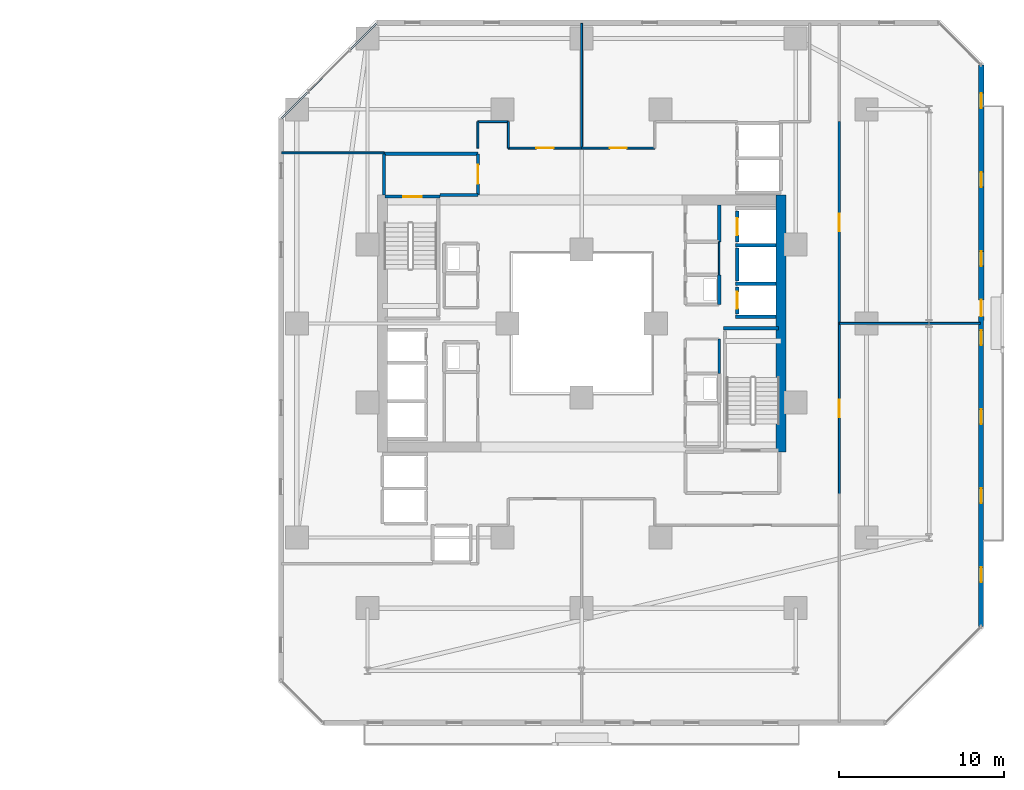
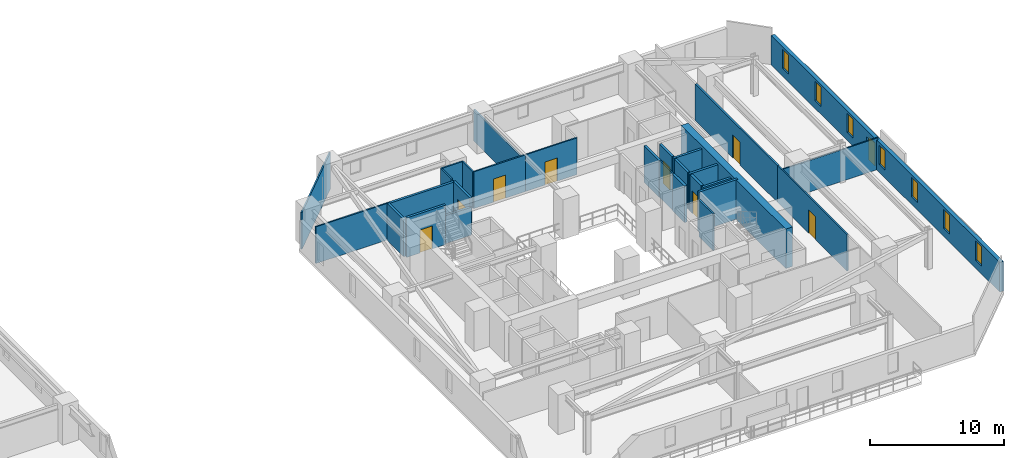
# One storey, part 24 of 33: 29 walls, 9 doors, 7 windows, 16 openings.
"""IFC4 building model written with IfcOpenShell, lengths in metres."""

import ifcopenshell
import ifcopenshell.guid

model = None  # the IFC model being written
_history = None  # IfcOwnerHistory: only IFC2X3 demands one
_inside = {}  # id of a spatial element -> (the spatial element, [elements in it])
_under = {}  # id of a project, library or spatial element -> (it, [spatial elements below it])
_declared = {}  # id of a project -> (the project, [libraries it declares])
_typed = {}  # id of a type object -> (the type object, [elements of that type])
_made_of = {}  # id of a material, layer set ... -> (it, [elements and type objects made of it])


def new_model(schema):
    """Start an empty IFC model of exactly this schema.

    Asked for "IFC4X3", IfcOpenShell would pick the latest addendum, in which some entities
    have other attributes; the version numbers below select the first issue.
    IFC2X3 requires an IfcOwnerHistory on every rooted entity: one is made here for all.
    """
    global model, _history
    if schema == "IFC4X3":
        model = ifcopenshell.file(schema_version=(4, 3, 0, 0))
    else:
        model = ifcopenshell.file(schema=schema)
    _inside.clear()
    _under.clear()
    _declared.clear()
    _typed.clear()
    _made_of.clear()
    _history = None
    if model.schema == "IFC2X3":
        org = make("IfcOrganization", Name="unknown")
        user = make(
            "IfcPersonAndOrganization",
            ThePerson=make("IfcPerson", FamilyName="unknown"),
            TheOrganization=org,
        )
        app = make(
            "IfcApplication",
            ApplicationDeveloper=org,
            Version="unknown",
            ApplicationFullName="unknown",
            ApplicationIdentifier="unknown",
        )
        _history = make(
            "IfcOwnerHistory",
            OwningUser=user,
            OwningApplication=app,
            ChangeAction="ADDED",
            CreationDate=0,
        )
    return model


def make(cls, **values):
    """One entity of the class cls with the attributes given. An attribute that is None is left unset."""
    return model.create_entity(
        cls, **{name: value for name, value in values.items() if value is not None}
    )


def rooted(cls, **values):
    """An entity with a GlobalId (a new one), such as an element, a storey or a relation."""
    return make(cls, GlobalId=ifcopenshell.guid.new(), OwnerHistory=_history, **values)


def si_unit(unit_type, name, prefix=None):
    """IfcSIUnit, for example si_unit("LENGTHUNIT", "METRE", prefix="MILLI")."""
    return make("IfcSIUnit", UnitType=unit_type, Prefix=prefix, Name=name)


def assignment(units):
    """IfcUnitAssignment: the units of a project."""
    return None if units is None else make("IfcUnitAssignment", Units=units)


def point(xyz):
    """IfcCartesianPoint."""
    return None if xyz is None else make("IfcCartesianPoint", Coordinates=xyz)


def direction(xyz):
    """IfcDirection."""
    return None if xyz is None else make("IfcDirection", DirectionRatios=xyz)


def frame(location, z_axis=None, x_axis=None):
    """IfcAxis2Placement3D, a coordinate frame: its origin and axes. An axis left out is left unset."""
    return make(
        "IfcAxis2Placement3D",
        Location=point(location),
        Axis=direction(z_axis),
        RefDirection=direction(x_axis),
    )


def frame_2d(location, x_axis=None):
    """IfcAxis2Placement2D, a coordinate frame in the plane: its origin and x axis."""
    return make(
        "IfcAxis2Placement2D", Location=point(location), RefDirection=direction(x_axis)
    )


def origin():
    """The frame at (0, 0, 0) with its axes left unset."""
    return frame((0.0, 0.0, 0.0))


def place(relative_to, where):
    """IfcLocalPlacement: puts the frame where relative to a parent placement (None: the world)."""
    return make(
        "IfcLocalPlacement", PlacementRelTo=relative_to, RelativePlacement=where
    )


def context(
    kind, dimensions, precision=None, world=None, true_north=None, identifier=None
):
    """IfcGeometricRepresentationContext, for example the 3D "Model" context."""
    return make(
        "IfcGeometricRepresentationContext",
        ContextIdentifier=identifier,
        ContextType=kind,
        CoordinateSpaceDimension=dimensions,
        Precision=precision,
        WorldCoordinateSystem=world,
        TrueNorth=true_north,
    )


def subcontext(parent, identifier, kind, view, scale=None):
    """IfcGeometricRepresentationSubContext, for example "Body" below "Model"."""
    return make(
        "IfcGeometricRepresentationSubContext",
        ContextIdentifier=identifier,
        ContextType=kind,
        ParentContext=parent,
        TargetScale=scale,
        TargetView=view,
    )


def project(units=None, contexts=None):
    """IfcProject with its units and contexts."""
    return rooted(
        "IfcProject",
        Name="project",
        RepresentationContexts=contexts,
        UnitsInContext=assignment(units),
    )


def spatial(cls, under=None, at=None, **own):
    """A site, building, storey or space (cls), placed at a placement, below another one or the project."""
    s = rooted(cls, ObjectPlacement=at, **own)
    if under is not None:
        _under.setdefault(under.id(), (under, []))[1].append(s)
    return s


def profile(cls, at=None, kind="AREA", **sizes):
    """A parametric profile (cls). Its sizes go by their IFC names, for example OverallWidth=200.0."""
    return make(cls, ProfileType=kind, Position=at, **sizes)


def rectangle(**sizes):
    """IfcRectangleProfileDef."""
    return profile("IfcRectangleProfileDef", **sizes)


def extrude(swept, where, along, depth):
    """IfcExtrudedAreaSolid: the profile swept, set in the frame where, extruded along a direction by depth."""
    return make(
        "IfcExtrudedAreaSolid",
        SweptArea=swept,
        Position=where,
        ExtrudedDirection=direction(along),
        Depth=depth,
    )


def shape(context_of_items, identifier, shape_type, items):
    """IfcShapeRepresentation: the items that make up one representation, for example the "Body"."""
    return make(
        "IfcShapeRepresentation",
        ContextOfItems=context_of_items,
        RepresentationIdentifier=identifier,
        RepresentationType=shape_type,
        Items=items,
    )


def material(Name=None, Category=None):
    """IfcMaterial."""
    return make("IfcMaterial", Name=Name, Category=Category)


def layer(
    of_material, thickness, ventilated=None, Name=None, Category=None, Priority=None
):
    """IfcMaterialLayer: one layer of a wall or slab, of a material (None: an air gap)."""
    return make(
        "IfcMaterialLayer",
        Material=of_material,
        LayerThickness=thickness,
        IsVentilated=ventilated,
        Name=Name,
        Category=Category,
        Priority=Priority,
    )


def layer_set(layers, Name=None):
    """IfcMaterialLayerSet."""
    return make("IfcMaterialLayerSet", MaterialLayers=layers, LayerSetName=Name)


def made_of(thing, what):
    """Note that an element or type object is made of a material, layer set ...; save() writes the relation."""
    if what is not None:
        _made_of.setdefault(what.id(), (what, []))[1].append(thing)
    return thing


def type_object(cls, material=None, **own):
    """A type object (cls), such as IfcWallType, which elements share."""
    return made_of(rooted(cls, **own), material)


def element(
    cls,
    number,
    at=None,
    inside=None,
    cuts=None,
    type_object=None,
    material=None,
    context=None,
    identifier="Body",
    shape_type=None,
    held_by="IfcProductDefinitionShape",
    body=None,
    shapes=None,
    **own,
):
    """One element of the class cls, such as IfcWall. Its Tag is "e" and its number.

    at: its placement. inside: the storey or other place that contains it. cuts: it is an
    opening in that element (IfcRelVoidsElement). A single representation is given by context,
    identifier, shape_type and body (its items); several are given by shapes. held_by: the class
    of the entity that holds the representations. save() writes the other relations.
    """
    e = rooted(cls, Tag="e%d" % number, ObjectPlacement=at, **own)
    if body is not None:
        shapes = [shape(context, identifier, shape_type, body)]
    if shapes is not None:
        e.Representation = make(held_by, Representations=shapes)
    if inside is not None:
        _inside.setdefault(inside.id(), (inside, []))[1].append(e)
    if cuts is not None:
        rooted(
            "IfcRelVoidsElement", RelatingBuildingElement=cuts, RelatedOpeningElement=e
        )
    if type_object is not None:
        _typed.setdefault(type_object.id(), (type_object, []))[1].append(e)
    return made_of(e, material)


def fill(opening, filler):
    """IfcRelFillsElement: the door or window that sits in an opening."""
    return rooted(
        "IfcRelFillsElement",
        RelatingOpeningElement=opening,
        RelatedBuildingElement=filler,
    )


def aggregate(whole, parts):
    """IfcRelAggregates: a whole, such as a stair, and the parts it consists of."""
    return rooted("IfcRelAggregates", RelatingObject=whole, RelatedObjects=parts)


def save(model, path):
    """Write the relations noted so far, then the file.

    IfcRelAggregates (storeys below a building ...), IfcRelContainedInSpatialStructure (elements
    in a storey), IfcRelDefinesByType, IfcRelAssociatesMaterial and IfcRelDeclares: one each for
    every whole, place, type object, material and project.
    """
    for whole, parts in _under.values():
        aggregate(whole, parts)
    for where, things in _inside.values():
        rooted(
            "IfcRelContainedInSpatialStructure",
            RelatedElements=things,
            RelatingStructure=where,
        )
    for kind, things in _typed.values():
        rooted("IfcRelDefinesByType", RelatedObjects=things, RelatingType=kind)
    for what, things in _made_of.values():
        rooted("IfcRelAssociatesMaterial", RelatedObjects=things, RelatingMaterial=what)
    for by, libraries in _declared.values():
        rooted("IfcRelDeclares", RelatingContext=by, RelatedDefinitions=libraries)
    model.write(path)


model = new_model("IFC4")

# Units and contexts
model_context = context("Model", 3, precision=1e-05, world=origin(), true_north=direction((0.0, 1.0)))
body_context = subcontext(model_context, "Body", "Model", "MODEL_VIEW")
ifc_project = project(units=[si_unit("LENGTHUNIT", "METRE"), si_unit("AREAUNIT", "SQUARE_METRE"), si_unit("VOLUMEUNIT", "CUBIC_METRE"), si_unit("PLANEANGLEUNIT", "RADIAN"), si_unit("MASSUNIT", "GRAM", prefix="KILO")], contexts=[model_context])

# Site, building, storey
site_placement = place(None, origin())
site = spatial("IfcSite", under=ifc_project, at=site_placement, CompositionType="ELEMENT")
building_placement = place(site_placement, origin())
building = spatial("IfcBuilding", under=site, at=building_placement, Name="Thornwick Lancets Civic Towers", CompositionType="ELEMENT")
storey_placement = place(building_placement, frame((0.0, 0.0, 31.5)))
storey = spatial("IfcBuildingStorey", under=building, at=storey_placement, Name="L07", CompositionType="ELEMENT", Elevation=31.5)

# Wall, opening, door
ifc_material_1 = material(Name="Concrete blockwork C40/50", Category="masonry")
ifc_layer_1 = layer(ifc_material_1, 0.199951171875, Name="Concrete blockwork C40/50")
ifc_layer_set_1 = layer_set([ifc_layer_1], Name="Concrete blockwork C40/50")
wall_type_1 = type_object("IfcWallType", Name="WALL_COMP_200", PredefinedType="STANDARD", material=ifc_layer_set_1)
wall_1_placement = place(storey_placement, frame((97.949951171875, 29.219970703125, 0.0), z_axis=(0.0, 0.0, 1.0), x_axis=(0.0, -1.0, 0.0)))
wall_1 = element("IfcWall", 1, at=wall_1_placement, inside=storey, type_object=wall_type_1, Name="L07 Hoistway Front Wall FL-B1", PredefinedType="STANDARD", context=body_context, shape_type="SweptSolid", body=[
    extrude(rectangle(XDim=1.639892578125, YDim=0.199951171875, at=frame_2d((0.81982421875, 0.0))), origin(), (0.0, 0.0, 1.0), 3.340087890625),
])
opening_1_placement = place(wall_1_placement, frame((0.31005859375, 0.0, 0.0)))
opening_1 = element("IfcOpeningElement", 2, at=opening_1_placement, cuts=wall_1, Name="Opening LD-FL-B1", PredefinedType="OPENING", context=body_context, shape_type="SweptSolid", body=[
    extrude(rectangle(XDim=1.02001953125, YDim=2.06005859375, at=frame_2d((0.510009765625, 1.030029296875))), frame((0.0, 0.10986328125, 0.0), z_axis=(0.0, -1.0, 0.0), x_axis=(1.0, 0.0, 0.0)), (0.0, 0.0, 1.0), 0.219970703125),
])
ifc_material_2 = material(Name="Brushed bronze stainless steel", Category="steel")
door_type_1 = type_object("IfcDoorType", Name="DOOR_LIFT_SLIDE", OperationType="SLIDING_TO_LEFT", PredefinedType="DOOR", material=ifc_material_2)
door_1_placement = place(opening_1_placement, origin())
door_1 = element("IfcDoor", 3, at=door_1_placement, inside=storey, type_object=door_type_1, Name="L07 Sliding Lift Landing Door LD-FL-B1", OperationType="SLIDING_TO_LEFT", OverallHeight=2.06005859375, OverallWidth=1.02001953125, PredefinedType="DOOR", context=body_context, shape_type="SweptSolid", body=[
    extrude(rectangle(XDim=1.02001953125, YDim=2.06005859375, at=frame_2d((0.510009765625, 1.030029296875))), frame((0.0, 0.02490234375, 0.0), z_axis=(0.0, -1.0, 0.0), x_axis=(1.0, 0.0, 0.0)), (0.0, 0.0, 1.0), 0.050048828125),
])
fill(opening_1, door_1)

# Wall
wall_2_placement = place(storey_placement, frame((97.949951171875, 31.570068359375, 0.0), z_axis=(0.0, 0.0, 1.0), x_axis=(0.0, -1.0, 0.0)))
element("IfcWall", 4, at=wall_2_placement, inside=storey, type_object=wall_type_1, Name="L07 Hoistway Front Wall PL-BH1", PredefinedType="STANDARD", context=body_context, shape_type="SweptSolid", body=[
    extrude(rectangle(XDim=1.989990234375, YDim=0.199951171875, at=frame_2d((0.9951171875, 0.0))), origin(), (0.0, 0.0, 1.0), 3.340087890625),
])

# Wall, opening, door
wall_3_placement = place(storey_placement, frame((97.949951171875, 33.820068359375, 0.0), z_axis=(0.0, 0.0, 1.0), x_axis=(0.0, -1.0, 0.0)))
wall_3 = element("IfcWall", 5, at=wall_3_placement, inside=storey, type_object=wall_type_1, Name="L07 Hoistway Front Wall PL-BL1", PredefinedType="STANDARD", context=body_context, shape_type="SweptSolid", body=[
    extrude(rectangle(XDim=1.89013671875, YDim=0.199951171875, at=frame_2d((0.945068359375, 0.0))), origin(), (0.0, 0.0, 1.0), 3.340087890625),
])
opening_2_placement = place(wall_3_placement, frame((0.43505859375, 0.0, 0.0)))
opening_2 = element("IfcOpeningElement", 6, at=opening_2_placement, cuts=wall_3, Name="Opening LD-PL-BL1", PredefinedType="OPENING", context=body_context, shape_type="SweptSolid", body=[
    extrude(rectangle(XDim=1.02001953125, YDim=2.06005859375, at=frame_2d((0.510009765625, 1.030029296875))), frame((0.0, 0.10986328125, 0.0), z_axis=(0.0, -1.0, 0.0), x_axis=(1.0, 0.0, 0.0)), (0.0, 0.0, 1.0), 0.219970703125),
])
door_2_placement = place(opening_2_placement, origin())
door_2 = element("IfcDoor", 7, at=door_2_placement, inside=storey, type_object=door_type_1, Name="L07 Sliding Lift Landing Door LD-PL-BL1", OperationType="SLIDING_TO_LEFT", OverallHeight=2.06005859375, OverallWidth=1.02001953125, PredefinedType="DOOR", context=body_context, shape_type="SweptSolid", body=[
    extrude(rectangle(XDim=1.02001953125, YDim=2.06005859375, at=frame_2d((0.510009765625, 1.030029296875))), frame((0.0, 0.02490234375, 0.0), z_axis=(0.0, -1.0, 0.0), x_axis=(1.0, 0.0, 0.0)), (0.0, 0.0, 1.0), 0.050048828125),
])
fill(opening_2, door_2)

# Walls
for number, where, z_axis, x_axis, name in (
    (8, (97.85205078125, 29.39990234375, 0.0), (0.0, 0.0, 1.0), (1.0, 0.0, 0.0), "L07 Hoistway Shaft Wall FL-B1 N"),
    (9, (97.85205078125, 27.39990234375, 0.0), (0.0, 0.0, 1.0), (1.0, 0.0, 0.0), "L07 Hoistway Shaft Wall FL-B1 S"),
    (10, (97.85205078125, 31.75, 0.0), (0.0, 0.0, 1.0), (1.0, 0.0, 0.0), "L07 Hoistway Shaft Wall PL-BH1 N"),
):
    element("IfcWall", number, at=place(storey_placement, frame(where, z_axis=z_axis, x_axis=x_axis)), inside=storey, type_object=wall_type_1, Name=name, PredefinedType="STANDARD", context=body_context, shape_type="SweptSolid", body=[
        extrude(rectangle(XDim=2.43603515625, YDim=0.199951171875, at=frame_2d((1.218017578125, 0.0))), origin(), (0.0, 0.0, 1.0), 3.340087890625),
    ])
wall_4_placement = place(storey_placement, frame((79.89990234375, 34.800048828125, 0.0), z_axis=(0.0, 0.0, 1.0), x_axis=(1.0, 0.0, 0.0)))
element("IfcWall", 11, at=wall_4_placement, inside=storey, type_object=wall_type_1, Name="L07 Partition L07-B-FFLOB2 E1", PredefinedType="STANDARD", context=body_context, shape_type="SweptSolid", body=[
    extrude(rectangle(XDim=2.300048828125, YDim=0.199951171875, at=frame_2d((1.14990234375, 0.0))), origin(), (0.0, 0.0, 1.0), 2.544921875),
])

# Wall, opening, door
wall_5_placement = place(storey_placement, frame((82.199951171875, 34.800048828125, 0.0), z_axis=(0.0, 0.0, 1.0), x_axis=(0.0, 1.0, 0.0)))
wall_5 = element("IfcWall", 12, at=wall_5_placement, inside=storey, type_object=wall_type_1, Name="L07 Partition L07-B-FFLOB2 E2", PredefinedType="STANDARD", context=body_context, shape_type="SweptSolid", body=[
    extrude(rectangle(XDim=2.5, YDim=0.199951171875, at=frame_2d((1.25, 0.0))), origin(), (0.0, 0.0, 1.0), 3.340087890625),
])
opening_3_placement = place(wall_5_placement, frame((0.675048828125, 0.0, 0.0)))
opening_3 = element("IfcOpeningElement", 13, at=opening_3_placement, cuts=wall_5, Name="Opening D-L07-0374", PredefinedType="OPENING", context=body_context, shape_type="SweptSolid", body=[
    extrude(rectangle(XDim=1.14990234375, YDim=2.10009765625, at=frame_2d((0.574951171875, 1.050048828125))), frame((0.0, 0.10986328125, 0.0), z_axis=(0.0, -1.0, 0.0), x_axis=(1.0, 0.0, 0.0)), (0.0, 0.0, 1.0), 0.219970703125),
])
ifc_material_3 = material(Name="Glazed fire-resisting steel", Category="steel")
door_type_2 = type_object("IfcDoorType", Name="DOOR_LOBBY_FD60", OperationType="NOTDEFINED", PredefinedType="DOOR", material=ifc_material_3)
door_3_placement = place(opening_3_placement, origin())
door_3 = element("IfcDoor", 14, at=door_3_placement, inside=storey, type_object=door_type_2, Name="L07 West Firefighting Lobby 2 Door", OperationType="SINGLE_SWING_LEFT", OverallHeight=2.10009765625, OverallWidth=1.14990234375, PredefinedType="DOOR", context=body_context, shape_type="SweptSolid", body=[
    extrude(rectangle(XDim=1.14990234375, YDim=2.10009765625, at=frame_2d((0.574951171875, 1.050048828125))), frame((0.0, 0.02490234375, 0.0), z_axis=(0.0, -1.0, 0.0), x_axis=(1.0, 0.0, 0.0)), (0.0, 0.0, 1.0), 0.050048828125),
])
fill(opening_3, door_3)

# Walls
wall_6_placement = place(storey_placement, frame((82.199951171875, 37.300048828125, 0.0), z_axis=(0.0, 0.0, 1.0), x_axis=(-1.0, 0.0, 0.0)))
element("IfcWall", 15, at=wall_6_placement, inside=storey, type_object=wall_type_1, Name="L07 Partition L07-B-FFLOB2 E3", PredefinedType="STANDARD", context=body_context, shape_type="SweptSolid", body=[
    extrude(rectangle(XDim=5.699951171875, YDim=0.199951171875, at=frame_2d((2.85009765625, 0.0))), origin(), (0.0, 0.0, 1.0), 3.340087890625),
])
wall_7_placement = place(storey_placement, frame((76.5, 37.300048828125, 0.0), z_axis=(0.0, 0.0, 1.0), x_axis=(0.0, -1.0, 0.0)))
element("IfcWall", 16, at=wall_7_placement, inside=storey, type_object=wall_type_1, Name="L07 Partition L07-B-FFLOB2 E4", PredefinedType="STANDARD", context=body_context, shape_type="SweptSolid", body=[
    extrude(rectangle(XDim=2.5, YDim=0.199951171875, at=frame_2d((1.25, 0.0))), origin(), (0.0, 0.0, 1.0), 3.340087890625),
])
wall_8_placement = place(storey_placement, frame((96.85009765625, 28.14990234375, 0.0), z_axis=(0.0, 0.0, 1.0), x_axis=(0.0, 1.0, 0.0)))
element("IfcWall", 17, at=wall_8_placement, inside=storey, type_object=wall_type_1, Name="L07 Partition L07-B-DUCT1 E2", PredefinedType="STANDARD", context=body_context, shape_type="SweptSolid", body=[
    extrude(rectangle(XDim=1.800048828125, YDim=0.199951171875, at=frame_2d((0.89990234375, 0.0))), origin(), (0.0, 0.0, 1.0), 3.340087890625),
])
wall_9_placement = place(storey_placement, frame((96.85009765625, 34.199951171875, 0.0), z_axis=(0.0, 0.0, 1.0), x_axis=(0.0, -1.0, 0.0)))
element("IfcWall", 18, at=wall_9_placement, inside=storey, type_object=wall_type_1, Name="L07 Partition L07-B-ITR2 E3", PredefinedType="STANDARD", context=body_context, shape_type="SweptSolid", body=[
    extrude(rectangle(XDim=2.25, YDim=0.199951171875, at=frame_2d((1.125, 0.0))), origin(), (0.0, 0.0, 1.0), 3.340087890625),
])
ifc_material_4 = material(Name="Concrete C60/75", Category="concrete")
ifc_layer_2 = layer(ifc_material_4, 0.60009765625, Name="Concrete C60/75")
ifc_layer_set_2 = layer_set([ifc_layer_2], Name="Concrete C60/75")
wall_type_2 = type_object("IfcWallType", Name="WALL_CORE_600", PredefinedType="SHEAR", material=ifc_layer_set_2)
wall_10_placement = place(storey_placement, frame((100.60009765625, 19.199951171875, 0.0), z_axis=(0.0, 0.0, 1.0), x_axis=(0.0, 1.0, 0.0)))
element("IfcWall", 19, at=wall_10_placement, inside=storey, type_object=wall_type_2, Name="L07 Split Core B1 Shear Wall E", PredefinedType="SHEAR", context=body_context, shape_type="SweptSolid", body=[
    extrude(rectangle(XDim=15.60009765625, YDim=0.60009765625, at=frame_2d((7.800048828125, 0.0))), origin(), (0.0, 0.0, 1.0), 3.60009765625),
])

# Wall, openings, door, windows
ifc_material_5 = material(Name="Insulated buff terracotta rainscreen on concrete C40/50", Category="masonry")
ifc_layer_3 = layer(ifc_material_5, 0.320068359375, Name="Insulated buff terracotta rainscreen on concrete C40/50")
ifc_layer_set_3 = layer_set([ifc_layer_3], Name="Insulated buff terracotta rainscreen on concrete C40/50")
wall_type_3 = type_object("IfcWallType", Name="WALL_EXT_TERRA_320", PredefinedType="STANDARD", material=ifc_layer_set_3)
wall_11_placement = place(storey_placement, frame((112.75439453125, 8.57861328125, 0.0), z_axis=(0.0, 0.0, 1.0), x_axis=(0.000307837676, 0.999999952618, 0.0)))
wall_11 = element("IfcWall", 20, at=wall_11_placement, inside=storey, type_object=wall_type_3, Name="L07 Tower B Terracotta Facade Wall E2", PredefinedType="STANDARD", context=body_context, shape_type="SweptSolid", body=[
    extrude(rectangle(XDim=34.1025390625, YDim=0.320068359375, at=frame_2d((17.05126953125, 0.0))), origin(), (0.0, 0.0, 1.0), 2.699951171875),
])
opening_4_placement = place(wall_11_placement, frame((18.851318359375, 0.0, 0.0)))
opening_4 = element("IfcOpeningElement", 21, at=opening_4_placement, cuts=wall_11, Name="Opening D-BL-L07-BE", PredefinedType="OPENING", context=body_context, shape_type="SweptSolid", body=[
    extrude(rectangle(XDim=1.0, YDim=2.080078125, at=frame_2d((0.5, 1.0400390625))), frame((0.0, 0.169921875, 0.0), z_axis=(0.0, -1.0, 0.0), x_axis=(1.0, 0.0, 0.0)), (0.0, 0.0, 1.0), 0.340087890625),
])
opening_5_placement = place(wall_11_placement, frame((2.699951171875, 0.0, 0.719970703125)))
opening_5 = element("IfcOpeningElement", 22, at=opening_5_placement, cuts=wall_11, Name="Opening WL-01", PredefinedType="OPENING", context=body_context, shape_type="SweptSolid", body=[
    extrude(rectangle(XDim=0.89990234375, YDim=1.75, at=frame_2d((0.449951171875, 0.875))), frame((0.0, 0.169921875, 0.0), z_axis=(0.0, -1.0, 0.0), x_axis=(1.0, 0.0, 0.0)), (0.0, 0.0, 1.0), 0.340087890625),
])
opening_6_placement = place(wall_11_placement, frame((7.5, 0.0, 0.719970703125)))
opening_6 = element("IfcOpeningElement", 23, at=opening_6_placement, cuts=wall_11, Name="Opening WL-01", PredefinedType="OPENING", context=body_context, shape_type="SweptSolid", body=[
    extrude(rectangle(XDim=0.89990234375, YDim=1.75, at=frame_2d((0.449951171875, 0.875))), frame((0.0, 0.169921875, 0.0), z_axis=(0.0, -1.0, 0.0), x_axis=(1.0, 0.0, 0.0)), (0.0, 0.0, 1.0), 0.340087890625),
])
opening_7_placement = place(wall_11_placement, frame((12.300048828125, 0.0, 0.719970703125)))
opening_7 = element("IfcOpeningElement", 24, at=opening_7_placement, cuts=wall_11, Name="Opening WL-01", PredefinedType="OPENING", context=body_context, shape_type="SweptSolid", body=[
    extrude(rectangle(XDim=0.89990234375, YDim=1.75, at=frame_2d((0.449951171875, 0.875))), frame((0.0, 0.169921875, 0.0), z_axis=(0.0, -1.0, 0.0), x_axis=(1.0, 0.0, 0.0)), (0.0, 0.0, 1.0), 0.340087890625),
])
opening_8_placement = place(wall_11_placement, frame((17.10009765625, 0.0, 0.719970703125)))
opening_8 = element("IfcOpeningElement", 25, at=opening_8_placement, cuts=wall_11, Name="Opening WL-01", PredefinedType="OPENING", context=body_context, shape_type="SweptSolid", body=[
    extrude(rectangle(XDim=0.89990234375, YDim=1.75, at=frame_2d((0.449951171875, 0.875))), frame((0.0, 0.169921875, 0.0), z_axis=(0.0, -1.0, 0.0), x_axis=(1.0, 0.0, 0.0)), (0.0, 0.0, 1.0), 0.340087890625),
])
opening_9_placement = place(wall_11_placement, frame((21.89990234375, 0.0, 0.719970703125)))
opening_9 = element("IfcOpeningElement", 26, at=opening_9_placement, cuts=wall_11, Name="Opening WL-01", PredefinedType="OPENING", context=body_context, shape_type="SweptSolid", body=[
    extrude(rectangle(XDim=0.89990234375, YDim=1.75, at=frame_2d((0.449951171875, 0.875))), frame((0.0, 0.169921875, 0.0), z_axis=(0.0, -1.0, 0.0), x_axis=(1.0, 0.0, 0.0)), (0.0, 0.0, 1.0), 0.340087890625),
])
opening_10_placement = place(wall_11_placement, frame((26.699951171875, 0.0, 0.719970703125)))
opening_10 = element("IfcOpeningElement", 27, at=opening_10_placement, cuts=wall_11, Name="Opening WL-01", PredefinedType="OPENING", context=body_context, shape_type="SweptSolid", body=[
    extrude(rectangle(XDim=0.89990234375, YDim=1.75, at=frame_2d((0.449951171875, 0.875))), frame((0.0, 0.169921875, 0.0), z_axis=(0.0, -1.0, 0.0), x_axis=(1.0, 0.0, 0.0)), (0.0, 0.0, 1.0), 0.340087890625),
])
opening_11_placement = place(wall_11_placement, frame((31.5, 0.0, 0.719970703125)))
opening_11 = element("IfcOpeningElement", 28, at=opening_11_placement, cuts=wall_11, Name="Opening WL-01", PredefinedType="OPENING", context=body_context, shape_type="SweptSolid", body=[
    extrude(rectangle(XDim=0.89990234375, YDim=1.75, at=frame_2d((0.449951171875, 0.875))), frame((0.0, 0.169921875, 0.0), z_axis=(0.0, -1.0, 0.0), x_axis=(1.0, 0.0, 0.0)), (0.0, 0.0, 1.0), 0.340087890625),
])
ifc_material_6 = material(Name="Thermally broken glazed loggia doorset")
door_type_3 = type_object("IfcDoorType", Name="DOOR_BALC_1000", OperationType="NOTDEFINED", PredefinedType="DOOR", material=ifc_material_6)
door_4_placement = place(opening_4_placement, origin())
door_4 = element("IfcDoor", 29, at=door_4_placement, inside=storey, type_object=door_type_3, Name="L07 Tower B Loggia Balcony Door E", OperationType="SINGLE_SWING_RIGHT", OverallHeight=2.080078125, OverallWidth=1.0, PredefinedType="DOOR", context=body_context, shape_type="SweptSolid", body=[
    extrude(rectangle(XDim=1.0, YDim=2.080078125, at=frame_2d((0.5, 1.0400390625))), frame((0.0, 0.02490234375, 0.0), z_axis=(0.0, -1.0, 0.0), x_axis=(1.0, 0.0, 0.0)), (0.0, 0.0, 1.0), 0.050048828125),
])
fill(opening_4, door_4)
ifc_material_7 = material(Name="Clear low-e double glazing in bronze frame", Category="glass")
window_type = type_object("IfcWindowType", Name="WIN_LANCET_900", PartitioningType="SINGLE_PANEL", PredefinedType="WINDOW", material=ifc_material_7)
window_1_placement = place(opening_5_placement, origin())
window_1 = element("IfcWindow", 30, at=window_1_placement, inside=storey, type_object=window_type, Name="L07 Tower B Staggered Lancet Window E2-1", OverallHeight=1.75, OverallWidth=0.89990234375, PartitioningType="SINGLE_PANEL", PredefinedType="WINDOW", context=body_context, shape_type="SweptSolid", body=[
    extrude(rectangle(XDim=0.89990234375, YDim=1.75, at=frame_2d((0.449951171875, 0.875))), frame((0.0, 0.030029296875, 0.0), z_axis=(0.0, -1.0, 0.0), x_axis=(1.0, 0.0, 0.0)), (0.0, 0.0, 1.0), 0.06005859375),
])
fill(opening_5, window_1)
window_2_placement = place(opening_6_placement, origin())
window_2 = element("IfcWindow", 31, at=window_2_placement, inside=storey, type_object=window_type, Name="L07 Tower B Staggered Lancet Window E2-2", OverallHeight=1.75, OverallWidth=0.89990234375, PartitioningType="SINGLE_PANEL", PredefinedType="WINDOW", context=body_context, shape_type="SweptSolid", body=[
    extrude(rectangle(XDim=0.89990234375, YDim=1.75, at=frame_2d((0.449951171875, 0.875))), frame((0.0, 0.030029296875, 0.0), z_axis=(0.0, -1.0, 0.0), x_axis=(1.0, 0.0, 0.0)), (0.0, 0.0, 1.0), 0.06005859375),
])
fill(opening_6, window_2)
window_3_placement = place(opening_7_placement, origin())
window_3 = element("IfcWindow", 32, at=window_3_placement, inside=storey, type_object=window_type, Name="L07 Tower B Staggered Lancet Window E2-3", OverallHeight=1.75, OverallWidth=0.89990234375, PartitioningType="SINGLE_PANEL", PredefinedType="WINDOW", context=body_context, shape_type="SweptSolid", body=[
    extrude(rectangle(XDim=0.89990234375, YDim=1.75, at=frame_2d((0.449951171875, 0.875))), frame((0.0, 0.030029296875, 0.0), z_axis=(0.0, -1.0, 0.0), x_axis=(1.0, 0.0, 0.0)), (0.0, 0.0, 1.0), 0.06005859375),
])
fill(opening_7, window_3)
window_4_placement = place(opening_8_placement, origin())
window_4 = element("IfcWindow", 33, at=window_4_placement, inside=storey, type_object=window_type, Name="L07 Tower B Staggered Lancet Window E2-4", OverallHeight=1.75, OverallWidth=0.89990234375, PartitioningType="SINGLE_PANEL", PredefinedType="WINDOW", context=body_context, shape_type="SweptSolid", body=[
    extrude(rectangle(XDim=0.89990234375, YDim=1.75, at=frame_2d((0.449951171875, 0.875))), frame((0.0, 0.030029296875, 0.0), z_axis=(0.0, -1.0, 0.0), x_axis=(1.0, 0.0, 0.0)), (0.0, 0.0, 1.0), 0.06005859375),
])
fill(opening_8, window_4)
window_5_placement = place(opening_9_placement, origin())
window_5 = element("IfcWindow", 34, at=window_5_placement, inside=storey, type_object=window_type, Name="L07 Tower B Staggered Lancet Window E2-5", OverallHeight=1.75, OverallWidth=0.89990234375, PartitioningType="SINGLE_PANEL", PredefinedType="WINDOW", context=body_context, shape_type="SweptSolid", body=[
    extrude(rectangle(XDim=0.89990234375, YDim=1.75, at=frame_2d((0.449951171875, 0.875))), frame((0.0, 0.030029296875, 0.0), z_axis=(0.0, -1.0, 0.0), x_axis=(1.0, 0.0, 0.0)), (0.0, 0.0, 1.0), 0.06005859375),
])
fill(opening_9, window_5)
window_6_placement = place(opening_10_placement, origin())
window_6 = element("IfcWindow", 35, at=window_6_placement, inside=storey, type_object=window_type, Name="L07 Tower B Staggered Lancet Window E2-6", OverallHeight=1.75, OverallWidth=0.89990234375, PartitioningType="SINGLE_PANEL", PredefinedType="WINDOW", context=body_context, shape_type="SweptSolid", body=[
    extrude(rectangle(XDim=0.89990234375, YDim=1.75, at=frame_2d((0.449951171875, 0.875))), frame((0.0, 0.030029296875, 0.0), z_axis=(0.0, -1.0, 0.0), x_axis=(1.0, 0.0, 0.0)), (0.0, 0.0, 1.0), 0.06005859375),
])
fill(opening_10, window_6)
window_7_placement = place(opening_11_placement, origin())
window_7 = element("IfcWindow", 36, at=window_7_placement, inside=storey, type_object=window_type, Name="L07 Tower B Staggered Lancet Window E2-7", OverallHeight=1.75, OverallWidth=0.89990234375, PartitioningType="SINGLE_PANEL", PredefinedType="WINDOW", context=body_context, shape_type="SweptSolid", body=[
    extrude(rectangle(XDim=0.89990234375, YDim=1.75, at=frame_2d((0.449951171875, 0.875))), frame((0.0, 0.030029296875, 0.0), z_axis=(0.0, -1.0, 0.0), x_axis=(1.0, 0.0, 0.0)), (0.0, 0.0, 1.0), 0.06005859375),
])
fill(opening_11, window_7)

# Wall
ifc_material_8 = material(Name="Lightweight cellular office partition")
ifc_layer_4 = layer(ifc_material_8, 0.10009765625, Name="Lightweight cellular office partition")
ifc_layer_set_4 = layer_set([ifc_layer_4], Name="Lightweight cellular office partition")
wall_type_4 = type_object("IfcWallType", Name="WALL_PART_100", PredefinedType="PARTITIONING", material=ifc_layer_set_4)
wall_12_placement = place(storey_placement, frame((96.85009765625, 31.949951171875, 0.0), z_axis=(0.0, 0.0, 1.0), x_axis=(0.0, -1.0, 0.0)))
element("IfcWall", 37, at=wall_12_placement, inside=storey, type_object=wall_type_4, Name="L07 Partition L07-B-CLN E3", PredefinedType="PARTITIONING", context=body_context, shape_type="SweptSolid", body=[
    extrude(rectangle(XDim=2.0, YDim=0.10009765625, at=frame_2d((1.0, 0.0))), origin(), (0.0, 0.0, 1.0), 3.340087890625),
])

# Wall, opening, door
ifc_material_9 = material(Name="Acoustic gypsum board partition")
ifc_layer_5 = layer(ifc_material_9, 0.1201171875, Name="Acoustic gypsum board partition")
ifc_layer_set_5 = layer_set([ifc_layer_5], Name="Acoustic gypsum board partition")
wall_type_5 = type_object("IfcWallType", Name="WALL_PART_120", PredefinedType="PARTITIONING", material=ifc_layer_set_5)
wall_13_placement = place(storey_placement, frame((92.949951171875, 37.64990234375, 0.0), z_axis=(0.0, 0.0, 1.0), x_axis=(-1.0, 0.0, 0.0)))
wall_13 = element("IfcWall", 38, at=wall_13_placement, inside=storey, type_object=wall_type_5, Name="L07 Partition L07-B-E1 E4", PredefinedType="PARTITIONING", context=body_context, shape_type="SweptSolid", body=[
    extrude(rectangle(XDim=4.449951171875, YDim=0.1201171875, at=frame_2d((2.22509765625, 0.0))), origin(), (0.0, 0.0, 1.0), 3.340087890625),
])
opening_12_placement = place(wall_13_placement, frame((1.699951171875, 0.0, 0.0)))
opening_12 = element("IfcOpeningElement", 39, at=opening_12_placement, cuts=wall_13, Name="Opening D-L07-0393", PredefinedType="OPENING", context=body_context, shape_type="SweptSolid", body=[
    extrude(rectangle(XDim=1.050048828125, YDim=2.10009765625, at=frame_2d((0.52490234375, 1.050048828125))), frame((0.0, 0.070068359375, 0.0), z_axis=(0.0, -1.0, 0.0), x_axis=(1.0, 0.0, 0.0)), (0.0, 0.0, 1.0), 0.14013671875),
])
ifc_material_10 = material(Name="Glazed European oak executive doorset")
door_type_4 = type_object("IfcDoorType", Name="DOOR_OFFICE_1050", OperationType="NOTDEFINED", PredefinedType="DOOR", material=ifc_material_10)
door_5_placement = place(opening_12_placement, origin())
door_5 = element("IfcDoor", 40, at=door_5_placement, inside=storey, type_object=door_type_4, Name="L07 Tower B Secretariat Open Office E1 Door", OperationType="SINGLE_SWING_RIGHT", OverallHeight=2.10009765625, OverallWidth=1.050048828125, PredefinedType="DOOR", context=body_context, shape_type="SweptSolid", body=[
    extrude(rectangle(XDim=1.050048828125, YDim=2.10009765625, at=frame_2d((0.52490234375, 1.050048828125))), frame((0.0, 0.02490234375, 0.0), z_axis=(0.0, -1.0, 0.0), x_axis=(1.0, 0.0, 0.0)), (0.0, 0.0, 1.0), 0.050048828125),
])
fill(opening_12, door_5)

# Walls
wall_14_placement = place(storey_placement, frame((88.5, 37.64990234375, 0.0), z_axis=(0.0, 0.0, 1.0), x_axis=(0.0, 1.0, 0.0)))
element("IfcWall", 41, at=wall_14_placement, inside=storey, type_object=wall_type_5, Name="L07 Partition L07-B-E1 E5", PredefinedType="PARTITIONING", context=body_context, shape_type="SweptSolid", body=[
    extrude(rectangle(XDim=7.570068359375, YDim=0.1201171875, at=frame_2d((3.78515625, 0.0))), origin(), (0.0, 0.0, 1.0), 2.877685546875),
])
wall_15_placement = place(storey_placement, frame((84.050048828125, 37.64990234375, 0.0), z_axis=(0.0, 0.0, 1.0), x_axis=(0.0, 1.0, 0.0)))
element("IfcWall", 42, at=wall_15_placement, inside=storey, type_object=wall_type_5, Name="L07 Partition L07-B-E2 E1", PredefinedType="PARTITIONING", context=body_context, shape_type="SweptSolid", body=[
    extrude(rectangle(XDim=1.60009765625, YDim=0.1201171875, at=frame_2d((0.800048828125, 0.0))), origin(), (0.0, 0.0, 1.0), 3.340087890625),
])
wall_16_placement = place(storey_placement, frame((84.050048828125, 39.25, 0.0), z_axis=(0.0, 0.0, 1.0), x_axis=(-1.0, 0.0, 0.0)))
element("IfcWall", 43, at=wall_16_placement, inside=storey, type_object=wall_type_5, Name="L07 Partition L07-B-E2 E2", PredefinedType="PARTITIONING", context=body_context, shape_type="SweptSolid", body=[
    extrude(rectangle(XDim=1.85009765625, YDim=0.1201171875, at=frame_2d((0.925048828125, 0.0))), origin(), (0.0, 0.0, 1.0), 3.340087890625),
])
wall_17_placement = place(storey_placement, frame((82.199951171875, 39.25, 0.0), z_axis=(0.0, 0.0, 1.0), x_axis=(0.0, -1.0, 0.0)))
element("IfcWall", 44, at=wall_17_placement, inside=storey, type_object=wall_type_5, Name="L07 Partition L07-B-E2 E3", PredefinedType="PARTITIONING", context=body_context, shape_type="SweptSolid", body=[
    extrude(rectangle(XDim=1.60009765625, YDim=0.1201171875, at=frame_2d((0.800048828125, 0.0))), origin(), (0.0, 0.0, 1.0), 3.340087890625),
])
wall_18_placement = place(storey_placement, frame((76.5, 37.35009765625, 0.0), z_axis=(0.0, 0.0, 1.0), x_axis=(-1.0, 0.0, 0.0)))
element("IfcWall", 45, at=wall_18_placement, inside=storey, type_object=wall_type_5, Name="L07 Partition L07-B-E2 E5", PredefinedType="PARTITIONING", context=body_context, shape_type="SweptSolid", body=[
    extrude(rectangle(XDim=6.219970703125, YDim=0.1201171875, at=frame_2d((3.10986328125, 0.0))), origin(), (0.0, 0.0, 1.0), 3.340087890625),
])
wall_19_placement = place(storey_placement, frame((70.280029296875, 39.452392578125, 0.0), z_axis=(0.0, 0.0, 1.0), x_axis=(0.707106781187, 0.707106781187, 0.0)))
element("IfcWall", 46, at=wall_19_placement, inside=storey, type_object=wall_type_5, Name="L07 Partition L07-B-E2 E7", PredefinedType="PARTITIONING", context=body_context, shape_type="SweptSolid", body=[
    extrude(rectangle(XDim=8.156494140625, YDim=0.1201171875, at=frame_2d((4.078125, 0.0))), origin(), (0.0, 0.0, 1.0), 3.340087890625),
])

# Wall, opening, door
wall_20_placement = place(storey_placement, frame((88.5, 37.64990234375, 0.0), z_axis=(0.0, 0.0, 1.0), x_axis=(-1.0, 0.0, 0.0)))
wall_20 = element("IfcWall", 47, at=wall_20_placement, inside=storey, type_object=wall_type_5, Name="L07 Partition L07-B-E2 E10", PredefinedType="PARTITIONING", context=body_context, shape_type="SweptSolid", body=[
    extrude(rectangle(XDim=4.449951171875, YDim=0.1201171875, at=frame_2d((2.22509765625, 0.0))), origin(), (0.0, 0.0, 1.0), 3.340087890625),
])
opening_13_placement = place(wall_20_placement, frame((1.699951171875, 0.0, 0.0)))
opening_13 = element("IfcOpeningElement", 48, at=opening_13_placement, cuts=wall_20, Name="Opening D-L07-0394", PredefinedType="OPENING", context=body_context, shape_type="SweptSolid", body=[
    extrude(rectangle(XDim=1.050048828125, YDim=2.10009765625, at=frame_2d((0.52490234375, 1.050048828125))), frame((0.0, 0.070068359375, 0.0), z_axis=(0.0, -1.0, 0.0), x_axis=(1.0, 0.0, 0.0)), (0.0, 0.0, 1.0), 0.14013671875),
])
door_6_placement = place(opening_13_placement, origin())
door_6 = element("IfcDoor", 49, at=door_6_placement, inside=storey, type_object=door_type_4, Name="L07 Tower B Visitors Reception and Waiting Door", OperationType="SINGLE_SWING_LEFT", OverallHeight=2.10009765625, OverallWidth=1.050048828125, PredefinedType="DOOR", context=body_context, shape_type="SweptSolid", body=[
    extrude(rectangle(XDim=1.050048828125, YDim=2.10009765625, at=frame_2d((0.52490234375, 1.050048828125))), frame((0.0, 0.02490234375, 0.0), z_axis=(0.0, -1.0, 0.0), x_axis=(1.0, 0.0, 0.0)), (0.0, 0.0, 1.0), 0.050048828125),
])
fill(opening_13, door_6)

wall_21_placement = place(storey_placement, frame((104.14990234375, 16.64990234375, 0.0), z_axis=(0.0, 0.0, 1.0), x_axis=(0.0, 1.0, 0.0)))
wall_21 = element("IfcWall", 50, at=wall_21_placement, inside=storey, type_object=wall_type_5, Name="L07 Partition L07-B-S-OFF E4", PredefinedType="PARTITIONING", context=body_context, shape_type="SweptSolid", body=[
    extrude(rectangle(XDim=10.35009765625, YDim=0.1201171875, at=frame_2d((5.175048828125, 0.0))), origin(), (0.0, 0.0, 1.0), 3.340087890625),
])
opening_14_placement = place(wall_21_placement, frame((4.64990234375, 0.0, 0.0)))
opening_14 = element("IfcOpeningElement", 51, at=opening_14_placement, cuts=wall_21, Name="Opening D-L07-0395", PredefinedType="OPENING", context=body_context, shape_type="SweptSolid", body=[
    extrude(rectangle(XDim=1.050048828125, YDim=2.10009765625, at=frame_2d((0.52490234375, 1.050048828125))), frame((0.0, 0.070068359375, 0.0), z_axis=(0.0, -1.0, 0.0), x_axis=(1.0, 0.0, 0.0)), (0.0, 0.0, 1.0), 0.14013671875),
])
door_7_placement = place(opening_14_placement, origin())
door_7 = element("IfcDoor", 52, at=door_7_placement, inside=storey, type_object=door_type_4, Name="L07 Tower B South Division Office Door", OperationType="SINGLE_SWING_RIGHT", OverallHeight=2.10009765625, OverallWidth=1.050048828125, PredefinedType="DOOR", context=body_context, shape_type="SweptSolid", body=[
    extrude(rectangle(XDim=1.050048828125, YDim=2.10009765625, at=frame_2d((0.52490234375, 1.050048828125))), frame((0.0, 0.02490234375, 0.0), z_axis=(0.0, -1.0, 0.0), x_axis=(1.0, 0.0, 0.0)), (0.0, 0.0, 1.0), 0.050048828125),
])
fill(opening_14, door_7)

# Walls
wall_22_placement = place(storey_placement, frame((104.14990234375, 27.0, 0.0), z_axis=(0.0, 0.0, 1.0), x_axis=(1.0, 0.0, 0.0)))
element("IfcWall", 53, at=wall_22_placement, inside=storey, type_object=wall_type_5, Name="L07 Partition L07-B-S-OFF E5", PredefinedType="PARTITIONING", context=body_context, shape_type="SweptSolid", body=[
    extrude(rectangle(XDim=8.570068359375, YDim=0.1201171875, at=frame_2d((4.28515625, 0.0))), origin(), (0.0, 0.0, 1.0), 2.877685546875),
])
ifc_material_11 = material(Name="Twin-stud acoustic gypsum board")
ifc_layer_6 = layer(ifc_material_11, 0.14990234375, Name="Twin-stud acoustic gypsum board")
ifc_layer_set_6 = layer_set([ifc_layer_6], Name="Twin-stud acoustic gypsum board")
wall_type_6 = type_object("IfcWallType", Name="WALL_PART_150", PredefinedType="PARTITIONING", material=ifc_layer_set_6)
wall_23_placement = place(storey_placement, frame((96.85009765625, 26.050048828125, 0.0), z_axis=(0.0, 0.0, 1.0), x_axis=(0.0, -1.0, 0.0)))
element("IfcWall", 54, at=wall_23_placement, inside=storey, type_object=wall_type_6, Name="L07 Partition L07-B-AWC E3", PredefinedType="PARTITIONING", context=body_context, shape_type="SweptSolid", body=[
    extrude(rectangle(XDim=2.10009765625, YDim=0.14990234375, at=frame_2d((1.050048828125, 0.0))), origin(), (0.0, 0.0, 1.0), 3.340087890625),
])

# Wall, opening, door
wall_24_placement = place(storey_placement, frame((104.14990234375, 27.0, 0.0), z_axis=(0.0, 0.0, 1.0), x_axis=(0.0, 1.0, 0.0)))
wall_24 = element("IfcWall", 55, at=wall_24_placement, inside=storey, type_object=wall_type_6, Name="L07 Partition L07-B-S-ARCH E1", PredefinedType="PARTITIONING", context=body_context, shape_type="SweptSolid", body=[
    extrude(rectangle(XDim=12.25, YDim=0.14990234375, at=frame_2d((6.125, 0.0))), origin(), (0.0, 0.0, 1.0), 3.340087890625),
])
opening_15_placement = place(wall_24_placement, frame((5.60009765625, 0.0, 0.0)))
opening_15 = element("IfcOpeningElement", 56, at=opening_15_placement, cuts=wall_24, Name="Opening D-L07-0396", PredefinedType="OPENING", context=body_context, shape_type="SweptSolid", body=[
    extrude(rectangle(XDim=1.050048828125, YDim=2.10009765625, at=frame_2d((0.52490234375, 1.050048828125))), frame((0.0, 0.0849609375, 0.0), z_axis=(0.0, -1.0, 0.0), x_axis=(1.0, 0.0, 0.0)), (0.0, 0.0, 1.0), 0.169921875),
])
door_8_placement = place(opening_15_placement, origin())
door_8 = element("IfcDoor", 57, at=door_8_placement, inside=storey, type_object=door_type_4, Name="L07 Tower B Registry and Records Archive Door", OperationType="SINGLE_SWING_LEFT", OverallHeight=2.10009765625, OverallWidth=1.050048828125, PredefinedType="DOOR", context=body_context, shape_type="SweptSolid", body=[
    extrude(rectangle(XDim=1.050048828125, YDim=2.10009765625, at=frame_2d((0.52490234375, 1.050048828125))), frame((0.0, 0.02490234375, 0.0), z_axis=(0.0, -1.0, 0.0), x_axis=(1.0, 0.0, 0.0)), (0.0, 0.0, 1.0), 0.050048828125),
])
fill(opening_15, door_8)

# Wall
ifc_material_12 = material(Name="Concrete C40/50", Category="concrete")
ifc_layer_7 = layer(ifc_material_12, 0.199951171875, Name="Concrete C40/50")
ifc_layer_set_7 = layer_set([ifc_layer_7], Name="Concrete C40/50")
wall_type_7 = type_object("IfcWallType", Name="WALL_SHAFT_200", PredefinedType="SHEAR", material=ifc_layer_set_7)
wall_25_placement = place(storey_placement, frame((97.10009765625, 26.699951171875, 0.0), z_axis=(0.0, 0.0, 1.0), x_axis=(1.0, 0.0, 0.0)))
element("IfcWall", 58, at=wall_25_placement, inside=storey, type_object=wall_type_7, Name="L07 ST-B1 Fire Stair Core Wall FAR", PredefinedType="SHEAR", context=body_context, shape_type="SweptSolid", body=[
    extrude(rectangle(XDim=3.349853515625, YDim=0.199951171875, at=frame_2d((1.6748046875, 0.0))), origin(), (0.0, 0.0, 1.0), 3.60009765625),
])

# Wall, opening, door
wall_26_placement = place(storey_placement, frame((76.550048828125, 34.699951171875, 0.0), z_axis=(0.0, 0.0, 1.0), x_axis=(1.0, 0.0, 0.0)))
wall_26 = element("IfcWall", 59, at=wall_26_placement, inside=storey, type_object=wall_type_7, Name="L07 ST-B2 Fire Stair Core Wall NEAR", PredefinedType="SHEAR", context=body_context, shape_type="SweptSolid", body=[
    extrude(rectangle(XDim=3.349853515625, YDim=0.199951171875, at=frame_2d((1.6748046875, 0.0))), origin(), (0.0, 0.0, 1.0), 3.60009765625),
])
opening_16_placement = place(wall_26_placement, frame((1.125, 0.0, 0.0)))
opening_16 = element("IfcOpeningElement", 60, at=opening_16_placement, cuts=wall_26, Name="Opening D-ST-B2-L07", PredefinedType="OPENING", context=body_context, shape_type="SweptSolid", body=[
    extrude(rectangle(XDim=1.10009765625, YDim=2.10009765625, at=frame_2d((0.550048828125, 1.050048828125))), frame((0.0, 0.10986328125, 0.0), z_axis=(0.0, -1.0, 0.0), x_axis=(1.0, 0.0, 0.0)), (0.0, 0.0, 1.0), 0.219970703125),
])
ifc_material_13 = material(Name="Fire-resisting steel and hardwood", Category="steel")
door_type_5 = type_object("IfcDoorType", Name="DOOR_STAIR_FD60", OperationType="NOTDEFINED", PredefinedType="DOOR", material=ifc_material_13)
door_9_placement = place(opening_16_placement, origin())
door_9 = element("IfcDoor", 61, at=door_9_placement, inside=storey, type_object=door_type_5, Name="L07 ST-B2 Exit Stair Door", OperationType="SINGLE_SWING_LEFT", OverallHeight=2.10009765625, OverallWidth=1.10009765625, PredefinedType="DOOR", context=body_context, shape_type="SweptSolid", body=[
    extrude(rectangle(XDim=1.10009765625, YDim=2.10009765625, at=frame_2d((0.550048828125, 1.050048828125))), frame((0.0, 0.02490234375, 0.0), z_axis=(0.0, -1.0, 0.0), x_axis=(1.0, 0.0, 0.0)), (0.0, 0.0, 1.0), 0.050048828125),
])
fill(opening_16, door_9)

save(model, "model.ifc")
